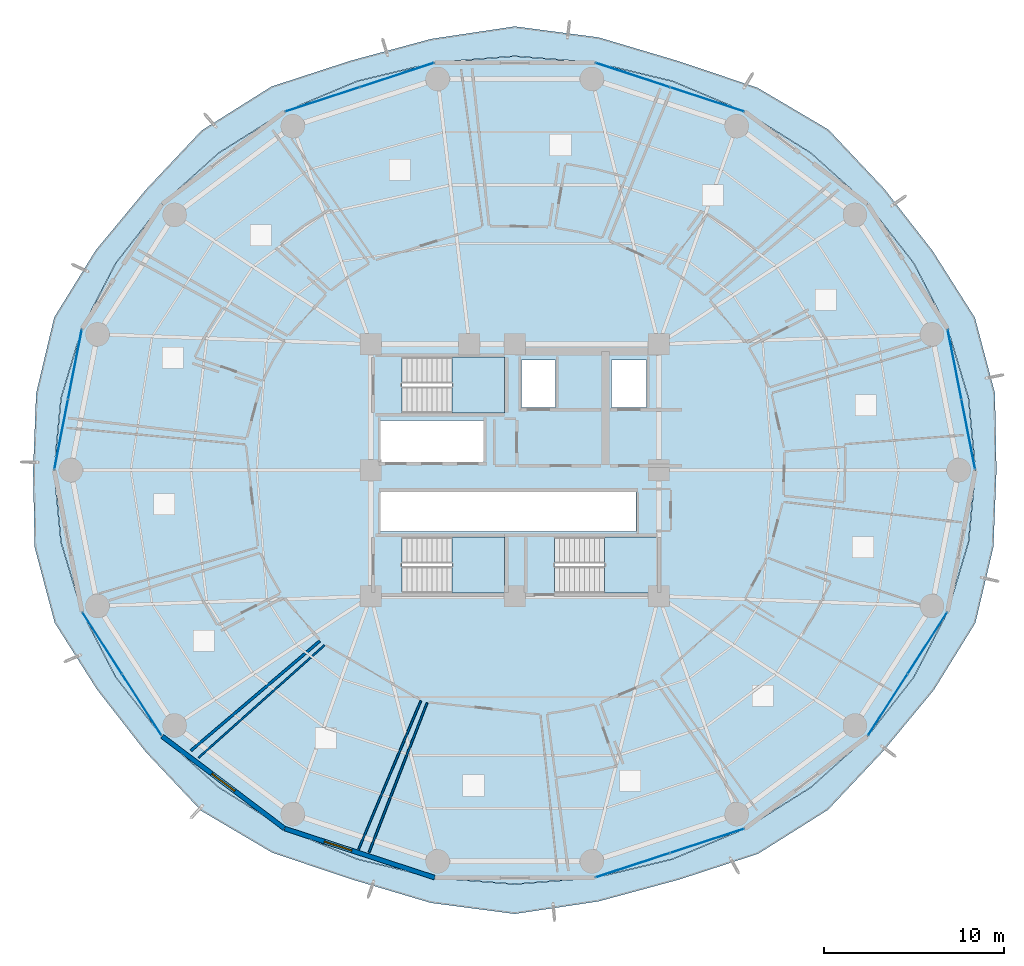
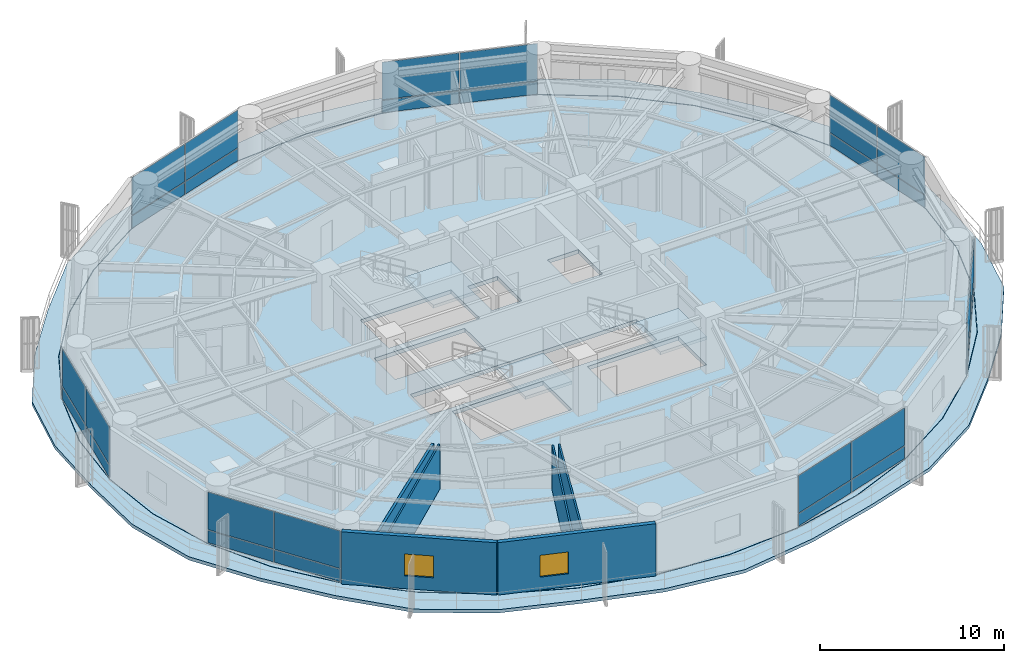
# One storey, part 28 of 37: 28 plates, 6 walls, 5 slabs, 2 windows, 2 openings, 10 elements without a shape of their own.
"""IFC4 building model written with IfcOpenShell, lengths in metres."""

from ifc_helpers import new_model, si_unit, direction, frame, frame_2d, origin, origin_2d, place, context, subcontext, project, spatial, polyline, rectangle, outline, extrude, source, transform, mapped, material, layer, layer_set, type_object, element, fill, aggregate, save


model = new_model("IFC4")

# Units and contexts
model_context = context("Model", 3, precision=1e-05, world=origin(), true_north=direction((0.0, 1.0)))
body_context = subcontext(model_context, "Body", "Model", "MODEL_VIEW")
ifc_project = project(units=[si_unit("LENGTHUNIT", "METRE"), si_unit("AREAUNIT", "SQUARE_METRE"), si_unit("VOLUMEUNIT", "CUBIC_METRE"), si_unit("PLANEANGLEUNIT", "RADIAN"), si_unit("MASSUNIT", "GRAM", prefix="KILO")], contexts=[model_context])

# Site, building, storey
site_placement = place(None, origin())
site = spatial("IfcSite", under=ifc_project, at=site_placement, CompositionType="ELEMENT")
building_placement = place(site_placement, origin())
building = spatial("IfcBuilding", under=site, at=building_placement, Name="Kelanora Arch Commons", CompositionType="ELEMENT")
storey_placement = place(building_placement, frame((0.0, 0.0, 113.85009765625)))
storey = spatial("IfcBuildingStorey", under=building, at=storey_placement, Name="L29", CompositionType="ELEMENT", Elevation=113.85009765625)

# Stair, slab
ifc_material_1 = material(Name="Concrete C40/50", Category="concrete")
stair_type = type_object("IfcStairType", Name="STR-DL-375", PredefinedType="HALF_TURN_STAIR", material=ifc_material_1)
stair_1_placement = place(storey_placement, origin())
stair_1 = element("IfcStair", 1, at=stair_1_placement, inside=storey, type_object=stair_type, Name="L29 ST-T1", PredefinedType="HALF_TURN_STAIR")
ifc_layer_1 = layer(ifc_material_1, 0.199951171875)
ifc_layer_set_1 = layer_set([ifc_layer_1], Name="Concrete C40/50")
slab_type_1 = type_object("IfcSlabType", Name="SLB-STAIR-LND", PredefinedType="LANDING", material=ifc_layer_set_1)
slab_1_placement = place(storey_placement, frame((0.0, 0.0, 1.6748046875)))
slab_1 = element("IfcSlab", 2, at=slab_1_placement, type_object=slab_type_1, Name="ST-T1 landing 1", PredefinedType="LANDING", context=body_context, shape_type="SweptSolid", body=[
    extrude(outline(polyline([(70.52001953125, 61.179931640625), (73.43994140625, 61.179931640625), (73.43994140625, 64.2900390625), (70.52001953125, 64.2900390625), (70.52001953125, 61.179931640625)])), origin(), (0.0, 0.0, 1.0), 0.2001953125),
])
aggregate(stair_1, [slab_1])

stair_2_placement = place(storey_placement, origin())
stair_2 = element("IfcStair", 3, at=stair_2_placement, inside=storey, type_object=stair_type, Name="L29 ST-T2", PredefinedType="HALF_TURN_STAIR")
slab_2_placement = place(storey_placement, frame((0.0, 0.0, 1.6748046875)))
slab_2 = element("IfcSlab", 4, at=slab_2_placement, type_object=slab_type_1, Name="ST-T2 landing 1", PredefinedType="LANDING", context=body_context, shape_type="SweptSolid", body=[
    extrude(outline(polyline([(79.0, 51.179931640625), (81.919921875, 51.179931640625), (81.919921875, 54.2900390625), (79.0, 54.2900390625), (79.0, 51.179931640625)])), origin(), (0.0, 0.0, 1.0), 0.2001953125),
])
aggregate(stair_2, [slab_2])

stair_3_placement = place(storey_placement, origin())
stair_3 = element("IfcStair", 5, at=stair_3_placement, inside=storey, type_object=stair_type, Name="L29 ST-T3", PredefinedType="HALF_TURN_STAIR")
slab_3_placement = place(storey_placement, frame((0.0, 0.0, 1.6748046875)))
slab_3 = element("IfcSlab", 6, at=slab_3_placement, type_object=slab_type_1, Name="ST-T3 landing 1", PredefinedType="LANDING", context=body_context, shape_type="SweptSolid", body=[
    extrude(outline(polyline([(70.52001953125, 51.179931640625), (73.43994140625, 51.179931640625), (73.43994140625, 54.2900390625), (70.52001953125, 54.2900390625), (70.52001953125, 51.179931640625)])), origin(), (0.0, 0.0, 1.0), 0.2001953125),
])
aggregate(stair_3, [slab_3])

# Slabs
ifc_layer_2 = layer(ifc_material_1, 0.260009765625)
ifc_layer_set_2 = layer_set([ifc_layer_2], Name="Concrete C40/50")
slab_type_2 = type_object("IfcSlabType", Name="SLB-TWR-TYP", PredefinedType="FLOOR", material=ifc_layer_set_2)
slab_4_placement = place(storey_placement, frame((0.0, 0.0, -0.260009765625)))
element("IfcSlab", 7, at=slab_4_placement, inside=storey, type_object=slab_type_2, Name="Tower Floor Slab L29", PredefinedType="FLOOR", context=body_context, shape_type="SweptSolid", body=[
    extrude(outline(polyline([(99.60009765625, 58.0), (99.211181640625, 61.993896484375), (98.05615234375, 65.866455078125), (96.17041015625, 69.5), (93.610595703125, 72.7841796875), (90.455322265625, 75.618896484375), (86.800048828125, 77.918701171875), (82.755615234375, 79.61279296875), (78.4453125, 80.650634765625), (74.0, 81.0), (69.5546875, 80.650634765625), (65.244384765625, 79.61279296875), (61.199951171875, 77.918701171875), (57.544677734375, 75.618896484375), (54.389404296875, 72.7841796875), (51.82958984375, 69.5), (49.94384765625, 65.866455078125), (48.788818359375, 61.993896484375), (48.39990234375, 58.0), (48.788818359375, 54.006103515625), (49.94384765625, 50.133544921875), (51.82958984375, 46.5), (54.389404296875, 43.2158203125), (57.544677734375, 40.381103515625), (61.199951171875, 38.081298828125), (65.244384765625, 36.38720703125), (69.5546875, 35.349365234375), (74.0, 35.0), (78.4453125, 35.349365234375), (82.755615234375, 36.38720703125), (86.800048828125, 38.081298828125), (90.455322265625, 40.381103515625), (93.610595703125, 43.2158203125), (96.17041015625, 46.5), (98.05615234375, 50.133544921875), (99.211181640625, 54.006103515625), (99.60009765625, 58.0)]), holes=[polyline([(73.431884765625, 51.18798828125), (67.72802734375, 51.18798828125), (67.72802734375, 54.281982421875), (73.431884765625, 54.281982421875), (73.431884765625, 51.18798828125)]), polyline([(76.2080078125, 51.18798828125), (76.2080078125, 54.281982421875), (81.912109375, 54.281982421875), (81.912109375, 51.18798828125), (76.2080078125, 51.18798828125)]), polyline([(66.550048828125, 54.60009765625), (66.550048828125, 56.800048828125), (80.75, 56.800048828125), (80.75, 54.60009765625), (66.550048828125, 54.60009765625)]), polyline([(66.550048828125, 58.449951171875), (66.550048828125, 60.75), (72.25, 60.75), (72.25, 58.449951171875), (66.550048828125, 58.449951171875)]), polyline([(67.72802734375, 61.18798828125), (67.72802734375, 64.281982421875), (73.431884765625, 64.281982421875), (73.431884765625, 61.18798828125), (67.72802734375, 61.18798828125)]), polyline([(74.3798828125, 61.47998046875), (74.3798828125, 64.1201171875), (76.260009765625, 64.1201171875), (76.260009765625, 61.47998046875), (74.3798828125, 61.47998046875)]), polyline([(79.3798828125, 61.47998046875), (79.3798828125, 64.1201171875), (81.320068359375, 64.1201171875), (81.320068359375, 61.47998046875), (79.3798828125, 61.47998046875)])]), origin(), (0.0, 0.0, 1.0), 0.260009765625),
])
ifc_layer_3 = layer(ifc_material_1, 0.219970703125)
ifc_layer_set_3 = layer_set([ifc_layer_3], Name="Concrete C40/50")
slab_type_3 = type_object("IfcSlabType", Name="SLB-WAVE-BAL", PredefinedType="FLOOR", material=ifc_layer_set_3)
slab_5_placement = place(storey_placement, frame((0.0, 0.0, -0.22021484375)))
element("IfcSlab", 8, at=slab_5_placement, inside=storey, type_object=slab_type_3, Name="Sinusoidal Wave Balcony Slab L29", PredefinedType="FLOOR", context=body_context, shape_type="SweptSolid", body=[
    extrude(outline(polyline([(100.77294921875, 58.0), (100.6875, 62.28369140625), (99.572265625, 66.480712890625), (97.22900390625, 70.180419921875), (94.530517578125, 73.64306640625), (91.43994140625, 76.92529296875), (87.492919921875, 79.25439453125), (83.120361328125, 80.727783203125), (78.66748046875, 82.05224609375), (74.0, 82.665283203125), (69.345947265625, 81.968017578125), (64.87060546875, 80.756103515625), (60.472412109375, 79.321044921875), (56.593505859375, 76.880615234375), (53.51025390625, 73.60498046875), (50.707763671875, 70.220947265625), (48.400390625, 66.49169921875), (47.396240234375, 62.26708984375), (47.22705078125, 58.0), (47.3125, 53.71630859375), (48.427734375, 49.519287109375), (50.77099609375, 45.819580078125), (53.469482421875, 42.35693359375), (56.56005859375, 39.07470703125), (60.507080078125, 36.74560546875), (64.879638671875, 35.272216796875), (69.33251953125, 33.94775390625), (74.0, 33.334716796875), (78.654052734375, 34.031982421875), (83.12939453125, 35.243896484375), (87.527587890625, 36.678955078125), (91.406494140625, 39.119384765625), (94.48974609375, 42.39501953125), (97.292236328125, 45.779052734375), (99.599609375, 49.50830078125), (100.603759765625, 53.73291015625), (100.77294921875, 58.0)]), holes=[polyline([(99.230712890625, 54.002685546875), (98.074951171875, 50.126708984375), (96.1875, 46.489990234375), (93.626220703125, 43.202880859375), (90.46826171875, 40.36572265625), (86.81005859375, 38.064208984375), (82.7626953125, 36.368408203125), (78.448974609375, 35.32958984375), (74.0, 34.97998046875), (69.551025390625, 35.32958984375), (65.2373046875, 36.368408203125), (61.18994140625, 38.064208984375), (57.53173828125, 40.36572265625), (54.373779296875, 43.202880859375), (51.8125, 46.489990234375), (49.925048828125, 50.126708984375), (48.769287109375, 54.002685546875), (48.3798828125, 58.0), (48.769287109375, 61.997314453125), (49.925048828125, 65.873291015625), (51.8125, 69.510009765625), (54.373779296875, 72.797119140625), (57.53173828125, 75.63427734375), (61.18994140625, 77.935791015625), (65.2373046875, 79.631591796875), (69.551025390625, 80.67041015625), (74.0, 81.02001953125), (78.448974609375, 80.67041015625), (82.7626953125, 79.631591796875), (86.81005859375, 77.935791015625), (90.46826171875, 75.63427734375), (93.626220703125, 72.797119140625), (96.1875, 69.510009765625), (98.074951171875, 65.873291015625), (99.230712890625, 61.997314453125), (99.6201171875, 58.0), (99.230712890625, 54.002685546875)])]), origin(), (0.0, 0.0, 1.0), 0.22021484375),
])

# Curtain wall, plates
ifc_material_2 = material(Name="Terracotta ceramic-fritted low-E glass and aluminium", Category="masonry")
ifc_layer_4 = layer(ifc_material_2, 0.159912109375)
ifc_layer_set_4 = layer_set([ifc_layer_4], Name="Terracotta ceramic-fritted low-E glass and aluminium")
curtain_wall_type = type_object("IfcCurtainWallType", Name="CW-SYS-01", PredefinedType="NOTDEFINED", material=ifc_layer_set_4)
curtain_wall_1_placement = place(storey_placement, origin())
curtain_wall_1 = element("IfcCurtainWall", 9, at=curtain_wall_1_placement, inside=storey, type_object=curtain_wall_type, Name="Unitised Curtain Wall L29-B00", PredefinedType="NOTDEFINED")
ifc_material_3 = material(Name="Terracotta ceramic-fritted double glazing", Category="masonry")
ifc_layer_5 = layer(ifc_material_3, 0.028076171875)
ifc_layer_set_5 = layer_set([ifc_layer_5], Name="Terracotta ceramic-fritted double glazing")
plate_type = type_object("IfcPlateType", Name="CWP-FRIT", PredefinedType="CURTAIN_PANEL", material=ifc_layer_set_5)
shared_shape_1 = source(origin(), body_context, "Body", "SweptSolid", [
    extrude(rectangle(XDim=3.9033203125, YDim=0.028076171875, at=origin_2d()), origin(), (0.0, 0.0, 1.0), 0.81005859375),
])
plate_1_placement = place(storey_placement, frame((99.209716796875, 59.98876953125, 0.059814453125), z_axis=(0.0, 0.0, 1.0), x_axis=(-0.192584916272, 0.981280311646, 0.0)))
plate_1 = element("IfcPlate", 10, at=plate_1_placement, type_object=plate_type, Name="CW-01 panel 1.1", PredefinedType="CURTAIN_PANEL", context=body_context, shape_type="MappedRepresentation", body=[
    mapped(shared_shape_1, transform((0.0, 0.0, 0.0), scale=1.0)),
])
plate_2_placement = place(storey_placement, frame((98.446533203125, 63.877685546875, 0.059814453125), z_axis=(0.0, 0.0, 1.0), x_axis=(-0.192584916272, 0.981280311646, 0.0)))
plate_2 = element("IfcPlate", 11, at=plate_2_placement, type_object=plate_type, Name="CW-01 panel 2.1", PredefinedType="CURTAIN_PANEL", context=body_context, shape_type="MappedRepresentation", body=[
    mapped(shared_shape_1, transform((0.0, 0.0, 0.0), scale=1.0)),
])

curtain_wall_2_placement = place(storey_placement, origin())
curtain_wall_2 = element("IfcCurtainWall", 12, at=curtain_wall_2_placement, inside=storey, type_object=curtain_wall_type, Name="Unitised Curtain Wall L29-B08", PredefinedType="NOTDEFINED")
plate_3_placement = place(storey_placement, frame((49.553466796875, 63.877685546875, 0.059814453125), z_axis=(0.0, 0.0, 1.0), x_axis=(-0.192584916272, -0.981280311646, 0.0)))
plate_3 = element("IfcPlate", 13, at=plate_3_placement, type_object=plate_type, Name="CW-01 panel 1.1", PredefinedType="CURTAIN_PANEL", context=body_context, shape_type="MappedRepresentation", body=[
    mapped(shared_shape_1, transform((0.0, 0.0, 0.0), scale=1.0)),
])
plate_4_placement = place(storey_placement, frame((48.790283203125, 59.98876953125, 0.059814453125), z_axis=(0.0, 0.0, 1.0), x_axis=(-0.192584916272, -0.981280311646, 0.0)))
plate_4 = element("IfcPlate", 14, at=plate_4_placement, type_object=plate_type, Name="CW-01 panel 2.1", PredefinedType="CURTAIN_PANEL", context=body_context, shape_type="MappedRepresentation", body=[
    mapped(shared_shape_1, transform((0.0, 0.0, 0.0), scale=1.0)),
])

# Plate
shared_shape_2 = source(origin(), body_context, "Body", "SweptSolid", [
    extrude(rectangle(XDim=3.9033203125, YDim=0.028076171875, at=origin_2d()), origin(), (0.0, 0.0, 1.0), 2.485107421875),
])
plate_5_placement = place(storey_placement, frame((99.209716796875, 59.98876953125, 0.9296875), z_axis=(0.0, 0.0, 1.0), x_axis=(-0.192584916272, 0.981280311646, 0.0)))
plate_5 = element("IfcPlate", 15, at=plate_5_placement, type_object=plate_type, Name="CW-01 panel 1.2", PredefinedType="CURTAIN_PANEL", context=body_context, shape_type="MappedRepresentation", body=[
    mapped(shared_shape_2, transform((0.0, 0.0, 0.0), scale=1.0)),
])

plate_6_placement = place(storey_placement, frame((98.446533203125, 63.877685546875, 0.9296875), z_axis=(0.0, 0.0, 1.0), x_axis=(-0.192584916272, 0.981280311646, 0.0)))
plate_6 = element("IfcPlate", 16, at=plate_6_placement, type_object=plate_type, Name="CW-01 panel 2.2", PredefinedType="CURTAIN_PANEL", context=body_context, shape_type="MappedRepresentation", body=[
    mapped(shared_shape_2, transform((0.0, 0.0, 0.0), scale=1.0)),
])

aggregate(curtain_wall_1, [plate_1, plate_5, plate_2, plate_6])

plate_7_placement = place(storey_placement, frame((49.553466796875, 63.877685546875, 0.9296875), z_axis=(0.0, 0.0, 1.0), x_axis=(-0.192584916272, -0.981280311646, 0.0)))
plate_7 = element("IfcPlate", 17, at=plate_7_placement, type_object=plate_type, Name="CW-01 panel 1.2", PredefinedType="CURTAIN_PANEL", context=body_context, shape_type="MappedRepresentation", body=[
    mapped(shared_shape_2, transform((0.0, 0.0, 0.0), scale=1.0)),
])

plate_8_placement = place(storey_placement, frame((48.790283203125, 59.98876953125, 0.9296875), z_axis=(0.0, 0.0, 1.0), x_axis=(-0.192584916272, -0.981280311646, 0.0)))
plate_8 = element("IfcPlate", 18, at=plate_8_placement, type_object=plate_type, Name="CW-01 panel 2.2", PredefinedType="CURTAIN_PANEL", context=body_context, shape_type="MappedRepresentation", body=[
    mapped(shared_shape_2, transform((0.0, 0.0, 0.0), scale=1.0)),
])

aggregate(curtain_wall_2, [plate_3, plate_7, plate_4, plate_8])

# Curtain wall, plates
curtain_wall_3_placement = place(storey_placement, origin())
curtain_wall_3 = element("IfcCurtainWall", 19, at=curtain_wall_3_placement, inside=storey, type_object=curtain_wall_type, Name="Unitised Curtain Wall L29-B03", PredefinedType="NOTDEFINED")
shared_shape_3 = source(origin(), body_context, "Body", "SweptSolid", [
    extrude(rectangle(XDim=4.2900390625, YDim=0.028076171875, at=origin_2d()), origin(), (0.0, 0.0, 1.0), 0.81005859375),
])
plate_9_placement = place(storey_placement, frame((84.68994140625, 78.608642578125, 0.059814453125), z_axis=(0.0, 0.0, 1.0), x_axis=(-0.950473795867, 0.31080470294, 0.0)))
plate_9 = element("IfcPlate", 20, at=plate_9_placement, type_object=plate_type, Name="CW-01 panel 1.1", PredefinedType="CURTAIN_PANEL", context=body_context, shape_type="MappedRepresentation", body=[
    mapped(shared_shape_3, transform((0.0, 0.0, 0.0), scale=1.0)),
])
plate_10_placement = place(storey_placement, frame((80.555419921875, 79.960693359375, 0.059814453125), z_axis=(0.0, 0.0, 1.0), x_axis=(-0.950473795867, 0.31080470294, 0.0)))
plate_10 = element("IfcPlate", 21, at=plate_10_placement, type_object=plate_type, Name="CW-01 panel 2.1", PredefinedType="CURTAIN_PANEL", context=body_context, shape_type="MappedRepresentation", body=[
    mapped(shared_shape_3, transform((0.0, 0.0, 0.0), scale=1.0)),
])

curtain_wall_4_placement = place(storey_placement, origin())
curtain_wall_4 = element("IfcCurtainWall", 22, at=curtain_wall_4_placement, inside=storey, type_object=curtain_wall_type, Name="Unitised Curtain Wall L29-B05", PredefinedType="NOTDEFINED")
plate_11_placement = place(storey_placement, frame((67.444580078125, 79.960693359375, 0.059814453125), z_axis=(0.0, 0.0, 1.0), x_axis=(-0.950473795867, -0.31080470294, 0.0)))
plate_11 = element("IfcPlate", 23, at=plate_11_placement, type_object=plate_type, Name="CW-01 panel 1.1", PredefinedType="CURTAIN_PANEL", context=body_context, shape_type="MappedRepresentation", body=[
    mapped(shared_shape_3, transform((0.0, 0.0, 0.0), scale=1.0)),
])
plate_12_placement = place(storey_placement, frame((63.31005859375, 78.608642578125, 0.059814453125), z_axis=(0.0, 0.0, 1.0), x_axis=(-0.950473795867, -0.31080470294, 0.0)))
plate_12 = element("IfcPlate", 24, at=plate_12_placement, type_object=plate_type, Name="CW-01 panel 2.1", PredefinedType="CURTAIN_PANEL", context=body_context, shape_type="MappedRepresentation", body=[
    mapped(shared_shape_3, transform((0.0, 0.0, 0.0), scale=1.0)),
])

curtain_wall_5_placement = place(storey_placement, origin())
curtain_wall_5 = element("IfcCurtainWall", 25, at=curtain_wall_5_placement, inside=storey, type_object=curtain_wall_type, Name="Unitised Curtain Wall L29-B14", PredefinedType="NOTDEFINED")
plate_13_placement = place(storey_placement, frame((80.555419921875, 36.039306640625, 0.059814453125), z_axis=(0.0, 0.0, 1.0), x_axis=(0.950473795867, 0.31080470294, 0.0)))
plate_13 = element("IfcPlate", 26, at=plate_13_placement, type_object=plate_type, Name="CW-01 panel 1.1", PredefinedType="CURTAIN_PANEL", context=body_context, shape_type="MappedRepresentation", body=[
    mapped(shared_shape_3, transform((0.0, 0.0, 0.0), scale=1.0)),
])
plate_14_placement = place(storey_placement, frame((84.68994140625, 37.391357421875, 0.059814453125), z_axis=(0.0, 0.0, 1.0), x_axis=(0.950473795867, 0.31080470294, 0.0)))
plate_14 = element("IfcPlate", 27, at=plate_14_placement, type_object=plate_type, Name="CW-01 panel 2.1", PredefinedType="CURTAIN_PANEL", context=body_context, shape_type="MappedRepresentation", body=[
    mapped(shared_shape_3, transform((0.0, 0.0, 0.0), scale=1.0)),
])

# Plate
shared_shape_4 = source(origin(), body_context, "Body", "SweptSolid", [
    extrude(rectangle(XDim=4.2900390625, YDim=0.028076171875, at=origin_2d()), origin(), (0.0, 0.0, 1.0), 2.485107421875),
])
plate_15_placement = place(storey_placement, frame((84.68994140625, 78.608642578125, 0.9296875), z_axis=(0.0, 0.0, 1.0), x_axis=(-0.950473795867, 0.31080470294, 0.0)))
plate_15 = element("IfcPlate", 28, at=plate_15_placement, type_object=plate_type, Name="CW-01 panel 1.2", PredefinedType="CURTAIN_PANEL", context=body_context, shape_type="MappedRepresentation", body=[
    mapped(shared_shape_4, transform((0.0, 0.0, 0.0), scale=1.0)),
])

plate_16_placement = place(storey_placement, frame((80.555419921875, 79.960693359375, 0.9296875), z_axis=(0.0, 0.0, 1.0), x_axis=(-0.950473795867, 0.31080470294, 0.0)))
plate_16 = element("IfcPlate", 29, at=plate_16_placement, type_object=plate_type, Name="CW-01 panel 2.2", PredefinedType="CURTAIN_PANEL", context=body_context, shape_type="MappedRepresentation", body=[
    mapped(shared_shape_4, transform((0.0, 0.0, 0.0), scale=1.0)),
])

aggregate(curtain_wall_3, [plate_9, plate_15, plate_10, plate_16])

plate_17_placement = place(storey_placement, frame((67.444580078125, 79.960693359375, 0.9296875), z_axis=(0.0, 0.0, 1.0), x_axis=(-0.950473795867, -0.31080470294, 0.0)))
plate_17 = element("IfcPlate", 30, at=plate_17_placement, type_object=plate_type, Name="CW-01 panel 1.2", PredefinedType="CURTAIN_PANEL", context=body_context, shape_type="MappedRepresentation", body=[
    mapped(shared_shape_4, transform((0.0, 0.0, 0.0), scale=1.0)),
])

plate_18_placement = place(storey_placement, frame((63.31005859375, 78.608642578125, 0.9296875), z_axis=(0.0, 0.0, 1.0), x_axis=(-0.950473795867, -0.31080470294, 0.0)))
plate_18 = element("IfcPlate", 31, at=plate_18_placement, type_object=plate_type, Name="CW-01 panel 2.2", PredefinedType="CURTAIN_PANEL", context=body_context, shape_type="MappedRepresentation", body=[
    mapped(shared_shape_4, transform((0.0, 0.0, 0.0), scale=1.0)),
])

aggregate(curtain_wall_4, [plate_11, plate_17, plate_12, plate_18])

plate_19_placement = place(storey_placement, frame((80.555419921875, 36.039306640625, 0.9296875), z_axis=(0.0, 0.0, 1.0), x_axis=(0.950473795867, 0.31080470294, 0.0)))
plate_19 = element("IfcPlate", 32, at=plate_19_placement, type_object=plate_type, Name="CW-01 panel 1.2", PredefinedType="CURTAIN_PANEL", context=body_context, shape_type="MappedRepresentation", body=[
    mapped(shared_shape_4, transform((0.0, 0.0, 0.0), scale=1.0)),
])

plate_20_placement = place(storey_placement, frame((84.68994140625, 37.391357421875, 0.9296875), z_axis=(0.0, 0.0, 1.0), x_axis=(0.950473795867, 0.31080470294, 0.0)))
plate_20 = element("IfcPlate", 33, at=plate_20_placement, type_object=plate_type, Name="CW-01 panel 2.2", PredefinedType="CURTAIN_PANEL", context=body_context, shape_type="MappedRepresentation", body=[
    mapped(shared_shape_4, transform((0.0, 0.0, 0.0), scale=1.0)),
])

aggregate(curtain_wall_5, [plate_13, plate_19, plate_14, plate_20])

# Curtain wall, plates
curtain_wall_6_placement = place(storey_placement, origin())
curtain_wall_6 = element("IfcCurtainWall", 34, at=curtain_wall_6_placement, inside=storey, type_object=curtain_wall_type, Name="Unitised Curtain Wall L29-B10", PredefinedType="NOTDEFINED")
shared_shape_5 = source(origin(), body_context, "Body", "SweptSolid", [
    extrude(rectangle(XDim=4.00634765625, YDim=0.028076171875, at=origin_2d()), origin(), (0.0, 0.0, 1.0), 0.81005859375),
])
plate_21_placement = place(storey_placement, frame((51.0673828125, 48.38525390625, 0.059814453125), z_axis=(0.0, 0.0, 1.0), x_axis=(0.540616931244, -0.841268883088, 0.0)))
plate_21 = element("IfcPlate", 35, at=plate_21_placement, type_object=plate_type, Name="CW-01 panel 1.1", PredefinedType="CURTAIN_PANEL", context=body_context, shape_type="MappedRepresentation", body=[
    mapped(shared_shape_5, transform((0.0, 0.0, 0.0), scale=1.0)),
])
plate_22_placement = place(storey_placement, frame((53.265869140625, 44.964111328125, 0.059814453125), z_axis=(0.0, 0.0, 1.0), x_axis=(0.540616931244, -0.841268883088, 0.0)))
plate_22 = element("IfcPlate", 36, at=plate_22_placement, type_object=plate_type, Name="CW-01 panel 2.1", PredefinedType="CURTAIN_PANEL", context=body_context, shape_type="MappedRepresentation", body=[
    mapped(shared_shape_5, transform((0.0, 0.0, 0.0), scale=1.0)),
])

curtain_wall_7_placement = place(storey_placement, origin())
curtain_wall_7 = element("IfcCurtainWall", 37, at=curtain_wall_7_placement, inside=storey, type_object=curtain_wall_type, Name="Unitised Curtain Wall L29-B16", PredefinedType="NOTDEFINED")
plate_23_placement = place(storey_placement, frame((94.734130859375, 44.964111328125, 0.059814453125), z_axis=(0.0, 0.0, 1.0), x_axis=(0.540616931244, 0.841268883088, 0.0)))
plate_23 = element("IfcPlate", 38, at=plate_23_placement, type_object=plate_type, Name="CW-01 panel 1.1", PredefinedType="CURTAIN_PANEL", context=body_context, shape_type="MappedRepresentation", body=[
    mapped(shared_shape_5, transform((0.0, 0.0, 0.0), scale=1.0)),
])
plate_24_placement = place(storey_placement, frame((96.9326171875, 48.38525390625, 0.059814453125), z_axis=(0.0, 0.0, 1.0), x_axis=(0.540616931244, 0.841268883088, 0.0)))
plate_24 = element("IfcPlate", 39, at=plate_24_placement, type_object=plate_type, Name="CW-01 panel 2.1", PredefinedType="CURTAIN_PANEL", context=body_context, shape_type="MappedRepresentation", body=[
    mapped(shared_shape_5, transform((0.0, 0.0, 0.0), scale=1.0)),
])

# Plate
shared_shape_6 = source(origin(), body_context, "Body", "SweptSolid", [
    extrude(rectangle(XDim=4.00634765625, YDim=0.028076171875, at=origin_2d()), origin(), (0.0, 0.0, 1.0), 2.485107421875),
])
plate_25_placement = place(storey_placement, frame((51.0673828125, 48.38525390625, 0.9296875), z_axis=(0.0, 0.0, 1.0), x_axis=(0.540616931244, -0.841268883088, 0.0)))
plate_25 = element("IfcPlate", 40, at=plate_25_placement, type_object=plate_type, Name="CW-01 panel 1.2", PredefinedType="CURTAIN_PANEL", context=body_context, shape_type="MappedRepresentation", body=[
    mapped(shared_shape_6, transform((0.0, 0.0, 0.0), scale=1.0)),
])

plate_26_placement = place(storey_placement, frame((53.265869140625, 44.964111328125, 0.9296875), z_axis=(0.0, 0.0, 1.0), x_axis=(0.540616931244, -0.841268883088, 0.0)))
plate_26 = element("IfcPlate", 41, at=plate_26_placement, type_object=plate_type, Name="CW-01 panel 2.2", PredefinedType="CURTAIN_PANEL", context=body_context, shape_type="MappedRepresentation", body=[
    mapped(shared_shape_6, transform((0.0, 0.0, 0.0), scale=1.0)),
])

aggregate(curtain_wall_6, [plate_21, plate_25, plate_22, plate_26])

plate_27_placement = place(storey_placement, frame((94.734130859375, 44.964111328125, 0.9296875), z_axis=(0.0, 0.0, 1.0), x_axis=(0.540616931244, 0.841268883088, 0.0)))
plate_27 = element("IfcPlate", 42, at=plate_27_placement, type_object=plate_type, Name="CW-01 panel 1.2", PredefinedType="CURTAIN_PANEL", context=body_context, shape_type="MappedRepresentation", body=[
    mapped(shared_shape_6, transform((0.0, 0.0, 0.0), scale=1.0)),
])

plate_28_placement = place(storey_placement, frame((96.9326171875, 48.38525390625, 0.9296875), z_axis=(0.0, 0.0, 1.0), x_axis=(0.540616931244, 0.841268883088, 0.0)))
plate_28 = element("IfcPlate", 43, at=plate_28_placement, type_object=plate_type, Name="CW-01 panel 2.2", PredefinedType="CURTAIN_PANEL", context=body_context, shape_type="MappedRepresentation", body=[
    mapped(shared_shape_6, transform((0.0, 0.0, 0.0), scale=1.0)),
])

aggregate(curtain_wall_7, [plate_23, plate_27, plate_24, plate_28])

# Wall
ifc_material_4 = material(Name="Autoclaved aerated concrete blockwork with fire plaster", Category="masonry")
ifc_layer_6 = layer(ifc_material_4, 0.14990234375)
ifc_layer_set_6 = layer_set([ifc_layer_6], Name="Autoclaved aerated concrete blockwork with fire plaster")
wall_type_1 = type_object("IfcWallType", Name="W-COMP-150", PredefinedType="PARTITIONING", material=ifc_layer_set_6)
wall_1_placement = place(storey_placement, frame((63.160400390625, 48.503173828125, 0.0), z_axis=(0.0, 0.0, 1.0), x_axis=(-0.761665255774, -0.647970707784, 0.0)))
element("IfcWall", 44, at=wall_1_placement, inside=storey, type_object=wall_type_1, Name="Co-Living Studio L29-08 Enclosure Partition 2", PredefinedType="PARTITIONING", context=body_context, shape_type="SweptSolid", body=[
    extrude(rectangle(XDim=9.40966796875, YDim=0.14990234375, at=frame_2d((4.704833984375, 0.0))), origin(), (0.0, 0.0, 1.0), 2.974853515625),
])

# Wall, opening, window
ifc_material_5 = material(Name="Precast concrete C40/50 with terracotta rainscreen", Category="masonry")
ifc_layer_7 = layer(ifc_material_5, 0.260009765625)
ifc_layer_set_7 = layer_set([ifc_layer_7], Name="Precast concrete C40/50 with terracotta rainscreen")
wall_type_2 = type_object("IfcWallType", Name="W-EXT-TC", PredefinedType="SOLIDWALL", material=ifc_layer_set_7)
wall_2_placement = place(storey_placement, frame((54.4013671875, 43.206787109375, 0.0), z_axis=(0.0, 0.0, 1.0), x_axis=(0.798501507879, -0.601992808857, 0.0)))
wall_2 = element("IfcWall", 45, at=wall_2_placement, inside=storey, type_object=wall_type_2, Name="Terracotta Exterior Wall L29-B11", PredefinedType="SOLIDWALL", context=body_context, shape_type="SweptSolid", body=[
    extrude(rectangle(XDim=8.499267578125, YDim=0.260009765625, at=frame_2d((4.24951171875, 0.0))), origin(), (0.0, 0.0, 1.0), 3.474853515625),
])
opening_1_placement = place(wall_2_placement, frame((3.449951171875, 0.0, 0.85009765625)))
opening_1 = element("IfcOpeningElement", 46, at=opening_1_placement, cuts=wall_2, Name="Opening WN-01", PredefinedType="OPENING", context=body_context, shape_type="SweptSolid", body=[
    extrude(rectangle(XDim=1.60009765625, YDim=1.449951171875, at=frame_2d((0.800048828125, 0.72509765625))), frame((0.0, 0.14013671875, 0.0), z_axis=(0.0, -1.0, 0.0), x_axis=(1.0, 0.0, 0.0)), (0.0, 0.0, 1.0), 0.280029296875),
])
ifc_material_6 = material(Name="Terracotta-anodised aluminium frame with operable low-E glazing", Category="masonry")
window_type = type_object("IfcWindowType", Name="WIN-CL-18", PartitioningType="DOUBLE_PANEL_VERTICAL", PredefinedType="WINDOW", material=ifc_material_6)
window_1_placement = place(opening_1_placement, origin())
window_1 = element("IfcWindow", 47, at=window_1_placement, inside=storey, type_object=window_type, Name="Co-Living Operable Window L29-B11", OverallHeight=1.449951171875, OverallWidth=1.60009765625, PartitioningType="SINGLE_PANEL", PredefinedType="WINDOW", context=body_context, shape_type="SweptSolid", body=[
    extrude(rectangle(XDim=1.60009765625, YDim=1.449951171875, at=frame_2d((0.800048828125, 0.72509765625))), frame((0.0, 0.030029296875, 0.0), z_axis=(0.0, -1.0, 0.0), x_axis=(1.0, 0.0, 0.0)), (0.0, 0.0, 1.0), 0.06005859375),
])
fill(opening_1, window_1)

wall_3_placement = place(storey_placement, frame((61.21435546875, 38.07666015625, 0.0), z_axis=(0.0, 0.0, 1.0), x_axis=(0.950471101963, -0.310812941064, 0.0)))
wall_3 = element("IfcWall", 48, at=wall_3_placement, inside=storey, type_object=wall_type_2, Name="Terracotta Exterior Wall L29-B12", PredefinedType="SOLIDWALL", context=body_context, shape_type="SweptSolid", body=[
    extrude(rectangle(XDim=8.759765625, YDim=0.260009765625, at=frame_2d((4.3798828125, 0.0))), origin(), (0.0, 0.0, 1.0), 3.474853515625),
])
opening_2_placement = place(wall_3_placement, frame((2.320068359375, 0.0, 0.85009765625)))
opening_2 = element("IfcOpeningElement", 49, at=opening_2_placement, cuts=wall_3, Name="Opening WN-01", PredefinedType="OPENING", context=body_context, shape_type="SweptSolid", body=[
    extrude(rectangle(XDim=1.60009765625, YDim=1.449951171875, at=frame_2d((0.800048828125, 0.72509765625))), frame((0.0, 0.14013671875, 0.0), z_axis=(0.0, -1.0, 0.0), x_axis=(1.0, 0.0, 0.0)), (0.0, 0.0, 1.0), 0.280029296875),
])
window_2_placement = place(opening_2_placement, origin())
window_2 = element("IfcWindow", 50, at=window_2_placement, inside=storey, type_object=window_type, Name="Co-Living Operable Window L29-B12", OverallHeight=1.449951171875, OverallWidth=1.60009765625, PartitioningType="SINGLE_PANEL", PredefinedType="WINDOW", context=body_context, shape_type="SweptSolid", body=[
    extrude(rectangle(XDim=1.60009765625, YDim=1.449951171875, at=frame_2d((0.800048828125, 0.72509765625))), frame((0.0, 0.030029296875, 0.0), z_axis=(0.0, -1.0, 0.0), x_axis=(1.0, 0.0, 0.0)), (0.0, 0.0, 1.0), 0.06005859375),
])
fill(opening_2, window_2)

# Walls
ifc_material_7 = material(Name="Lightweight fire-rated acoustic stud partition")
ifc_layer_8 = layer(ifc_material_7, 0.10009765625)
ifc_layer_set_8 = layer_set([ifc_layer_8], Name="Lightweight fire-rated acoustic stud partition")
wall_type_3 = type_object("IfcWallType", Name="W-PART-100", PredefinedType="PARTITIONING", material=ifc_layer_set_8)
wall_4_placement = place(storey_placement, frame((68.777587890625, 45.177001953125, 0.0), z_axis=(0.0, 0.0, 1.0), x_axis=(-0.386794233591, -0.922166048421, 0.0)))
element("IfcWall", 51, at=wall_4_placement, inside=storey, type_object=wall_type_3, Name="Quiet Seminar Study Room L29-09 Enclosure Partition 2", PredefinedType="PARTITIONING", context=body_context, shape_type="SweptSolid", body=[
    extrude(rectangle(XDim=8.922607421875, YDim=0.10009765625, at=frame_2d((4.46142578125, 0.0))), origin(), (0.0, 0.0, 1.0), 2.9248046875),
])
wall_5_placement = place(storey_placement, frame((56.423828125, 42.0166015625, 0.0), z_axis=(0.0, 0.0, 1.0), x_axis=(0.745731207234, 0.666246926115, 0.0)))
element("IfcWall", 52, at=wall_5_placement, inside=storey, type_object=wall_type_3, Name="Quiet Seminar Study Room L29-09 Enclosure Partition 4", PredefinedType="PARTITIONING", context=body_context, shape_type="SweptSolid", body=[
    extrude(rectangle(XDim=9.380615234375, YDim=0.10009765625, at=frame_2d((4.6904296875, 0.0))), origin(), (0.0, 0.0, 1.0), 2.974853515625),
])
wall_6_placement = place(storey_placement, frame((65.902587890625, 36.765380859375, 0.0), z_axis=(0.0, 0.0, 1.0), x_axis=(0.361863971294, 0.932230908241, 0.0)))
element("IfcWall", 53, at=wall_6_placement, inside=storey, type_object=wall_type_3, Name="Communal Dining and Social Hall L29-10 Enclosure Partition 4", PredefinedType="PARTITIONING", context=body_context, shape_type="SweptSolid", body=[
    extrude(rectangle(XDim=8.90380859375, YDim=0.10009765625, at=frame_2d((4.451904296875, 0.0))), origin(), (0.0, 0.0, 1.0), 2.9248046875),
])

save(model, "model.ifc")
